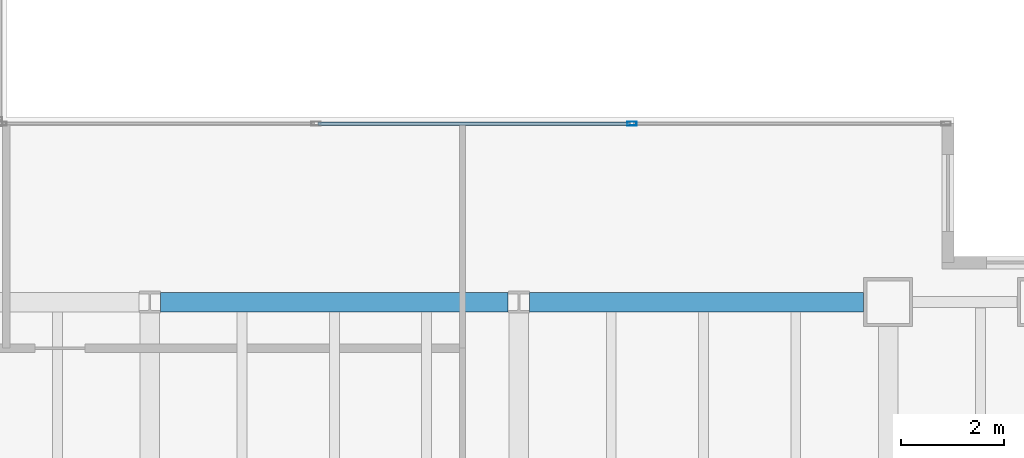
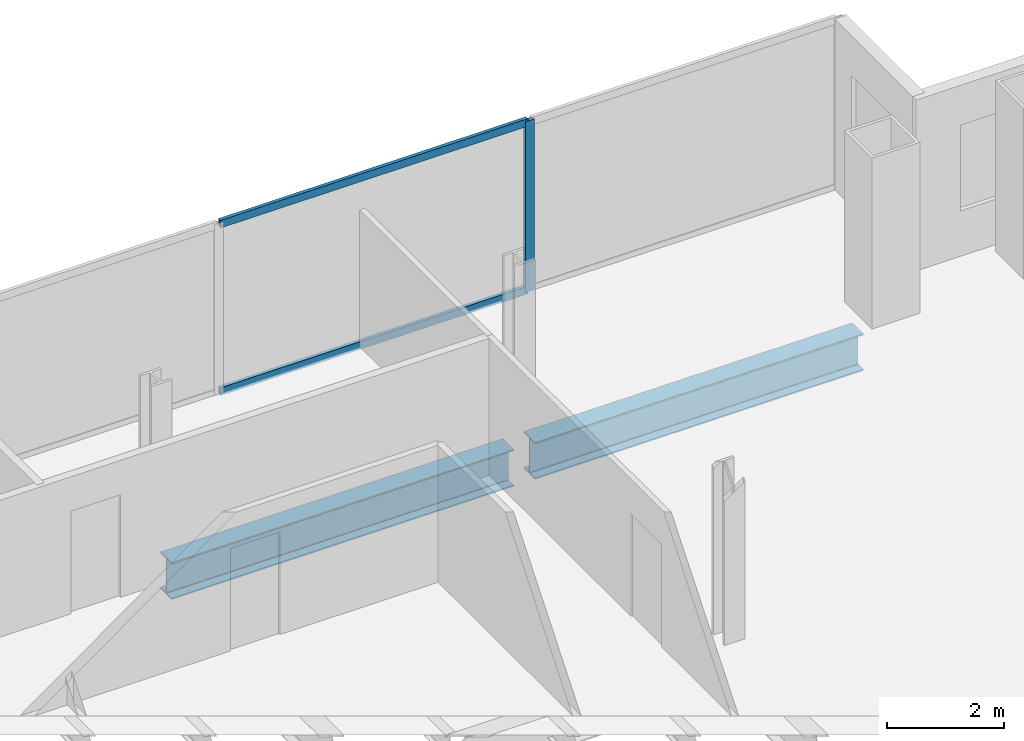
# One storey, part 14 of 23: 3 members, 2 beams, 1 element without a shape of its own.
"""IFC4 building model written with IfcOpenShell, lengths in metres."""

from ifc_helpers import new_model, si_unit, direction, frame, origin, origin_2d, place, context, subcontext, project, spatial, hollow_rectangle, i_section, extrude, material, material_profile, profile_set, type_object, element, aggregate, save


model = new_model("IFC4")

# Units and contexts
model_context = context("Model", 3, precision=1e-05, world=origin(), true_north=direction((0.0, 1.0)))
body_context = subcontext(model_context, "Body", "Model", "MODEL_VIEW")
ifc_project = project(units=[si_unit("LENGTHUNIT", "METRE"), si_unit("AREAUNIT", "SQUARE_METRE"), si_unit("VOLUMEUNIT", "CUBIC_METRE"), si_unit("PLANEANGLEUNIT", "RADIAN"), si_unit("MASSUNIT", "GRAM", prefix="KILO")], contexts=[model_context])

# Site, building, storey
site_placement = place(None, origin())
site = spatial("IfcSite", under=ifc_project, at=site_placement, CompositionType="ELEMENT")
building_placement = place(site_placement, origin())
building = spatial("IfcBuilding", under=site, at=building_placement, Name="Cobrela Telecom Tower", CompositionType="ELEMENT")
storey_placement = place(building_placement, frame((0.0, 0.0, 113.75)))
storey = spatial("IfcBuildingStorey", under=building, at=storey_placement, Name="L28", CompositionType="ELEMENT", Elevation=113.75)

# Beams
ifc_material_1 = material(Name="Steel ASTM A992 Grade 50", Category="steel")
ifc_material_profile_1 = material_profile(ifc_material_1, i_section(OverallWidth=0.381103515625, OverallDepth=0.77197265625, WebThickness=0.0166015625, FlangeThickness=0.027099609375, FilletRadius=0.01904296875, at=origin_2d()), Name="W30X173")
ifc_profile_set_1 = profile_set([ifc_material_profile_1], Name="Steel ASTM A992 Grade 50")
beam_type = type_object("IfcBeamType", Name="BM-GIRD-04", PredefinedType="USERDEFINED", material=ifc_profile_set_1)
beam_1_placement = place(storey_placement, frame((29.009521484375, 21.60009765625, -0.656005859375), z_axis=(1.0, 0.0, 0.0), x_axis=(0.0, 1.0, 0.0)))
element("IfcBeam", 1, at=beam_1_placement, inside=storey, type_object=beam_type, Name="L28 Primary Girder X20", ObjectType="GIRDER", PredefinedType="USERDEFINED", context=body_context, shape_type="SweptSolid", body=[
    extrude(i_section(OverallWidth=0.381103515625, OverallDepth=0.77197265625, WebThickness=0.0166015625, FlangeThickness=0.027099609375, FilletRadius=0.01904296875, at=origin_2d()), origin(), (0.0, 0.0, 1.0), 6.781005859375),
])
beam_2_placement = place(storey_placement, frame((36.20947265625, 21.60009765625, -0.656005859375), z_axis=(1.0, 0.0, 0.0), x_axis=(0.0, 1.0, 0.0)))
element("IfcBeam", 2, at=beam_2_placement, inside=storey, type_object=beam_type, Name="L28 Primary Girder X21", ObjectType="GIRDER", PredefinedType="USERDEFINED", context=body_context, shape_type="SweptSolid", body=[
    extrude(i_section(OverallWidth=0.381103515625, OverallDepth=0.77197265625, WebThickness=0.0166015625, FlangeThickness=0.027099609375, FilletRadius=0.01904296875, at=origin_2d()), origin(), (0.0, 0.0, 1.0), 6.510498046875),
])

# Curtain wall, members
ifc_material_2 = material(Name="Anodized Bronze Aluminium 6063-T6", Category="aluminium")
curtain_wall_type = type_object("IfcCurtainWallType", Name="CW-SYS-TEL", PredefinedType="USERDEFINED", material=ifc_material_2)
curtain_wall_placement = place(storey_placement, origin())
curtain_wall = element("IfcCurtainWall", 3, at=curtain_wall_placement, inside=storey, type_object=curtain_wall_type, Name="L28 Unitised Bronze Curtain Wall 11", ObjectType="UNITISED CURTAIN WALL", PredefinedType="USERDEFINED")
ifc_material_profile_2 = material_profile(ifc_material_2, hollow_rectangle(XDim=0.074951171875, YDim=0.179931640625, WallThickness=0.00390625, at=origin_2d()), Name="ALU 75x180x4")
ifc_profile_set_2 = profile_set([ifc_material_profile_2], Name="Anodized Bronze Aluminium 6063-T6")
member_type_1 = type_object("IfcMemberType", Name="CW-SYS-TEL-MUL", PredefinedType="MULLION", material=ifc_profile_set_2)
member_1_placement = place(storey_placement, frame((38.206787109375, 25.080078125, 0.0), z_axis=(0.0, 0.0, 1.0), x_axis=(0.0, 1.0, 0.0)))
member_1 = element("IfcMember", 4, at=member_1_placement, type_object=member_type_1, Name="CW-TEL mullion 3", PredefinedType="MULLION", context=body_context, shape_type="SweptSolid", body=[
    extrude(hollow_rectangle(XDim=0.074951171875, YDim=0.179931640625, WallThickness=0.00390625, at=origin_2d()), origin(), (0.0, 0.0, 1.0), 3.580078125),
])
ifc_material_profile_3 = material_profile(ifc_material_2, hollow_rectangle(XDim=0.070068359375, YDim=0.159912109375, WallThickness=0.00390625, at=origin_2d()), Name="ALU 70x160x4")
ifc_profile_set_3 = profile_set([ifc_material_profile_3], Name="Anodized Bronze Aluminium 6063-T6")
member_type_2 = type_object("IfcMemberType", Name="CW-SYS-TEL-TRN", PredefinedType="USERDEFINED", material=ifc_profile_set_3)
member_2_placement = place(storey_placement, frame((32.080810546875, 25.080078125, 0.034912109375), z_axis=(1.0, 0.0, 0.0), x_axis=(0.0, 1.0, 0.0)))
member_2 = element("IfcMember", 5, at=member_2_placement, type_object=member_type_2, Name="CW-TEL transom 2.1", ObjectType="TRANSOM", PredefinedType="USERDEFINED", context=body_context, shape_type="SweptSolid", body=[
    extrude(hollow_rectangle(XDim=0.070068359375, YDim=0.159912109375, WallThickness=0.00390625, at=origin_2d()), origin(), (0.0, 0.0, 1.0), 6.08837890625),
])
member_3_placement = place(storey_placement, frame((32.080810546875, 25.080078125, 3.544921875), z_axis=(1.0, 0.0, 0.0), x_axis=(0.0, 1.0, 0.0)))
member_3 = element("IfcMember", 6, at=member_3_placement, type_object=member_type_2, Name="CW-TEL transom 2.2", ObjectType="TRANSOM", PredefinedType="USERDEFINED", context=body_context, shape_type="SweptSolid", body=[
    extrude(hollow_rectangle(XDim=0.070068359375, YDim=0.159912109375, WallThickness=0.00390625, at=origin_2d()), origin(), (0.0, 0.0, 1.0), 6.08837890625),
])
aggregate(curtain_wall, [member_1, member_2, member_3])

save(model, "model.ifc")
